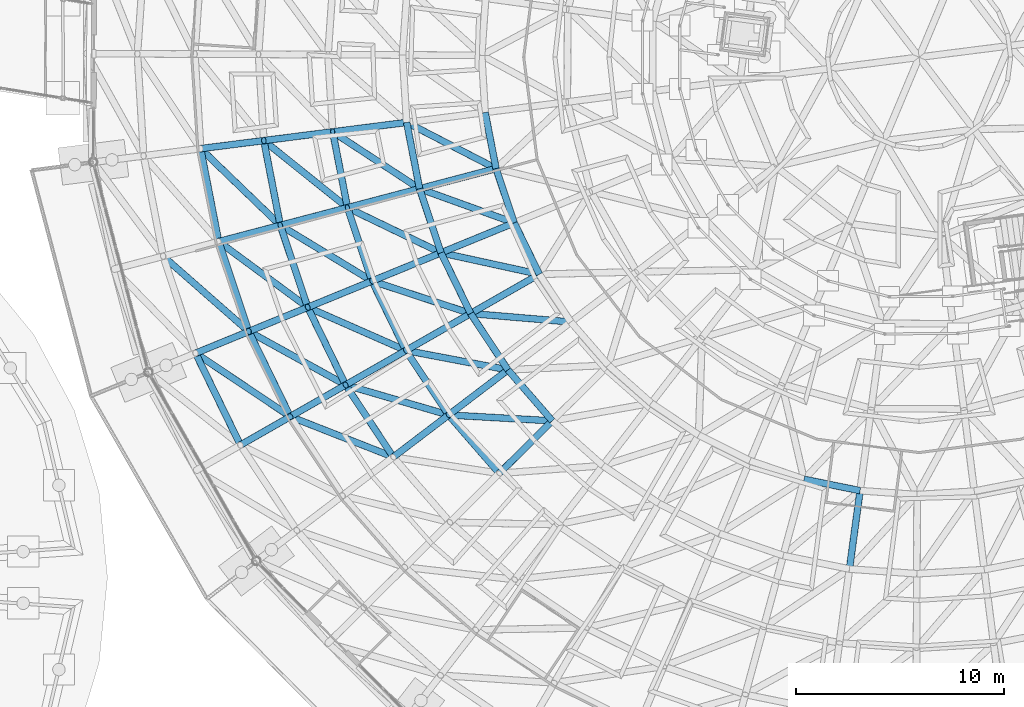
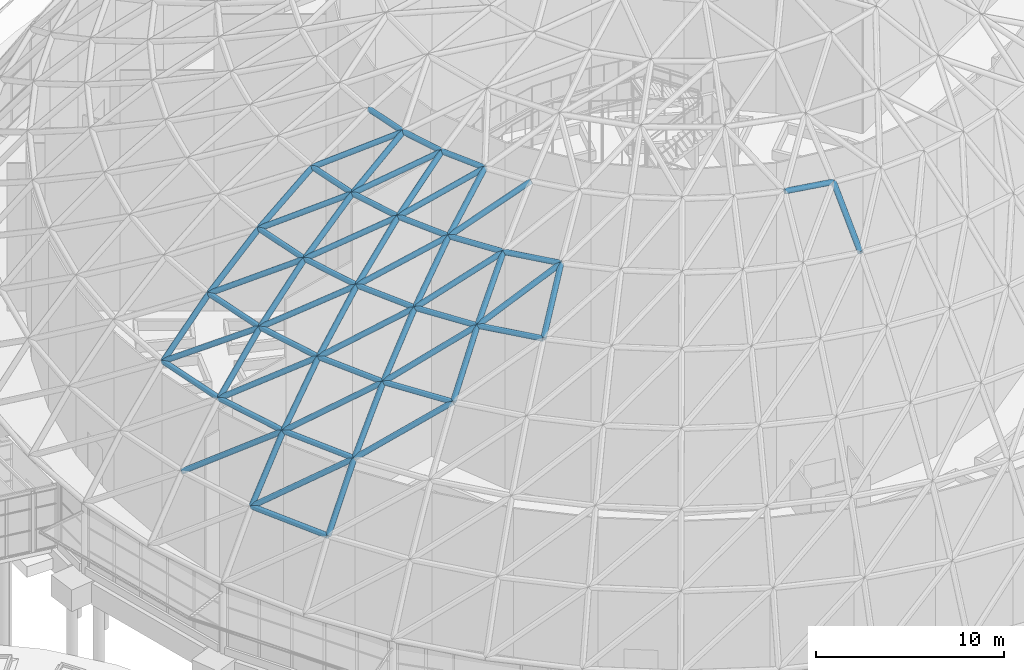
# One storey, part 76 of 226: 62 members.
"""IFC4 building model written with IfcOpenShell, lengths in metres."""

from ifc_helpers import new_model, si_unit, direction, frame, origin, origin_2d, place, context, subcontext, project, spatial, hollow_circle, extrude, material, material_profile, profile_set, type_object, element, save


model = new_model("IFC4")

# Units and contexts
model_context = context("Model", 3, precision=1e-05, world=origin(), true_north=direction((0.0, 1.0)))
body_context = subcontext(model_context, "Body", "Model", "MODEL_VIEW")
ifc_project = project(units=[si_unit("LENGTHUNIT", "METRE"), si_unit("AREAUNIT", "SQUARE_METRE"), si_unit("VOLUMEUNIT", "CUBIC_METRE"), si_unit("PLANEANGLEUNIT", "RADIAN"), si_unit("MASSUNIT", "GRAM", prefix="KILO")], contexts=[model_context])

# Site, building, storey
site_placement = place(None, origin())
site = spatial("IfcSite", under=ifc_project, at=site_placement, CompositionType="ELEMENT")
building_placement = place(site_placement, origin())
building = spatial("IfcBuilding", under=site, at=building_placement, Name="Ceibo Conservatory and Research Tower", CompositionType="ELEMENT")
storey_placement = place(building_placement, origin())
storey = spatial("IfcBuildingStorey", under=building, at=storey_placement, Name="L00", CompositionType="ELEMENT", Elevation=0.0)

# Members
ifc_material = material(Name="Steel ASTM A500 Gr C", Category="steel")
ifc_material_profile_1 = material_profile(ifc_material, hollow_circle(Radius=0.161865234375, WallThickness=0.01025390625, at=origin_2d()), Name="CHS 323.9x10.31")
ifc_profile_set_1 = profile_set([ifc_material_profile_1], Name="Steel ASTM A500 Gr C")
member_type_1 = type_object("IfcMemberType", Name="CHS 323.9x10.31", PredefinedType="NOTDEFINED", material=ifc_profile_set_1)
member_1_placement = place(storey_placement, frame((121.23193359375, 93.77587890625, 8.115966796875), z_axis=(0.438426569084, -0.898767012924, 0.0), x_axis=(0.898767012924, 0.438426569084, 0.0)))
element("IfcMember", 1, at=member_1_placement, inside=storey, type_object=member_type_1, Name="Gridshell member A-C02-27", PredefinedType="CHORD", context=body_context, shape_type="SweptSolid", body=[
    extrude(hollow_circle(Radius=0.161865234375, WallThickness=0.01025390625, at=origin_2d()), origin(), (0.0, 0.0, 1.0), 4.9130859375),
])
member_2_placement = place(storey_placement, frame((121.472900390625, 103.60791015625, 11.489013671875), z_axis=(0.190905541976, -0.981608411762, 0.0), x_axis=(0.981608411762, 0.190905541976, 0.0)))
element("IfcMember", 2, at=member_2_placement, inside=storey, type_object=member_type_1, Name="Gridshell member A-C03-25", PredefinedType="CHORD", context=body_context, shape_type="SweptSolid", body=[
    extrude(hollow_circle(Radius=0.161865234375, WallThickness=0.01025390625, at=origin_2d()), origin(), (0.0, 0.0, 1.0), 4.552734375),
])
member_3_placement = place(storey_placement, frame((122.342041015625, 99.138916015625, 11.489013671875), z_axis=(0.31736961709, -0.948301917191, 0.0), x_axis=(0.948301917191, 0.31736961709, 0.0)))
element("IfcMember", 3, at=member_3_placement, inside=storey, type_object=member_type_1, Name="Gridshell member A-C03-26", PredefinedType="CHORD", context=body_context, shape_type="SweptSolid", body=[
    extrude(hollow_circle(Radius=0.161865234375, WallThickness=0.01025390625, at=origin_2d()), origin(), (0.0, 0.0, 1.0), 4.55322265625),
])
member_4_placement = place(storey_placement, frame((123.787109375, 94.821044921875, 11.489013671875), z_axis=(0.43820278883, -0.898876140445, 0.0), x_axis=(0.898876140445, 0.43820278883, 0.0)))
element("IfcMember", 4, at=member_4_placement, inside=storey, type_object=member_type_1, Name="Gridshell member A-C03-27", PredefinedType="CHORD", context=body_context, shape_type="SweptSolid", body=[
    extrude(hollow_circle(Radius=0.161865234375, WallThickness=0.01025390625, at=origin_2d()), origin(), (0.0, 0.0, 1.0), 4.552490234375),
])
member_5_placement = place(storey_placement, frame((124.510986328125, 103.993896484375, 14.591064453125), z_axis=(0.190742180699, -0.981640168546, 0.0), x_axis=(0.981640168546, 0.190742180699, 0.0)))
element("IfcMember", 5, at=member_5_placement, inside=storey, type_object=member_type_1, Name="Gridshell member A-C04-25", PredefinedType="CHORD", context=body_context, shape_type="SweptSolid", body=[
    extrude(hollow_circle(Radius=0.161865234375, WallThickness=0.01025390625, at=origin_2d()), origin(), (0.0, 0.0, 1.0), 4.152099609375),
])
member_6_placement = place(storey_placement, frame((125.302978515625, 99.91796875, 14.591064453125), z_axis=(0.317480004596, -0.948264966495, 0.0), x_axis=(0.948264966495, 0.317480004596, 0.0)))
element("IfcMember", 6, at=member_6_placement, inside=storey, type_object=member_type_1, Name="Gridshell member A-C04-26", PredefinedType="CHORD", context=body_context, shape_type="SweptSolid", body=[
    extrude(hollow_circle(Radius=0.161865234375, WallThickness=0.01025390625, at=origin_2d()), origin(), (0.0, 0.0, 1.0), 4.15185546875),
])
member_7_placement = place(storey_placement, frame((126.62109375, 95.98095703125, 14.591064453125), z_axis=(0.438300827314, -0.898828339994, 0.0), x_axis=(0.898828339994, 0.438300827314, 0.0)))
element("IfcMember", 7, at=member_7_placement, inside=storey, type_object=member_type_1, Name="Gridshell member A-C04-27", PredefinedType="CHORD", context=body_context, shape_type="SweptSolid", body=[
    extrude(hollow_circle(Radius=0.161865234375, WallThickness=0.01025390625, at=origin_2d()), origin(), (0.0, 0.0, 1.0), 4.152099609375),
])
member_8_placement = place(storey_placement, frame((128.44091796875, 92.2490234375, 14.591064453125), z_axis=(0.55190237301, -0.833908730417, 0.0), x_axis=(0.833908730417, 0.55190237301, 0.0)))
element("IfcMember", 8, at=member_8_placement, inside=storey, type_object=member_type_1, Name="Gridshell member A-C04-28", PredefinedType="CHORD", context=body_context, shape_type="SweptSolid", body=[
    extrude(hollow_circle(Radius=0.161865234375, WallThickness=0.01025390625, at=origin_2d()), origin(), (0.0, 0.0, 1.0), 4.15283203125),
])
member_9_placement = place(storey_placement, frame((127.822021484375, 104.4150390625, 17.39501953125), z_axis=(0.815548674865, 0.103701353107, 0.569320988801), x_axis=(-0.126139666344, 0.992012492147, 0.0)))
element("IfcMember", 9, at=member_9_placement, inside=storey, type_object=member_type_1, Name="Gridshell member A-M25-05", PredefinedType="RAFTER", context=body_context, shape_type="SweptSolid", body=[
    extrude(hollow_circle(Radius=0.161865234375, WallThickness=0.01025390625, at=origin_2d()), origin(), (0.0, 0.0, 1.0), 4.357666015625),
])
member_10_placement = place(storey_placement, frame((128.531005859375, 100.76806640625, 17.39501953125), z_axis=(0.795082110604, 0.20923213437, 0.569268259562), x_axis=(-0.25449329928, 0.967074537263, 0.0)))
element("IfcMember", 10, at=member_10_placement, inside=storey, type_object=member_type_1, Name="Gridshell member A-M26-05", PredefinedType="RAFTER", context=body_context, shape_type="SweptSolid", body=[
    extrude(hollow_circle(Radius=0.161865234375, WallThickness=0.01025390625, at=origin_2d()), origin(), (0.0, 0.0, 1.0), 4.358154296875),
])
member_11_placement = place(storey_placement, frame((129.7099609375, 97.243896484375, 17.39501953125), z_axis=(0.760876121558, 0.311420288598, 0.569284578653), x_axis=(-0.378792035202, 0.925481817254, 0.0)))
element("IfcMember", 11, at=member_11_placement, inside=storey, type_object=member_type_1, Name="Gridshell member A-M27-05", PredefinedType="RAFTER", context=body_context, shape_type="SweptSolid", body=[
    extrude(hollow_circle(Radius=0.161865234375, WallThickness=0.01025390625, at=origin_2d()), origin(), (0.0, 0.0, 1.0), 4.35791015625),
])
member_12_placement = place(storey_placement, frame((131.339111328125, 93.905029296875, 17.39501953125), z_axis=(0.713787806992, 0.407982781221, 0.569260060795), x_axis=(-0.496234325731, 0.868188628102, 0.0)))
element("IfcMember", 12, at=member_12_placement, inside=storey, type_object=member_type_1, Name="Gridshell member A-M28-05", PredefinedType="RAFTER", context=body_context, shape_type="SweptSolid", body=[
    extrude(hollow_circle(Radius=0.161865234375, WallThickness=0.01025390625, at=origin_2d()), origin(), (0.0, 0.0, 1.0), 4.358154296875),
])
member_13_placement = place(storey_placement, frame((133.389892578125, 90.806884765625, 17.39501953125), z_axis=(0.654469157346, 0.497546703166, 0.569313095099), x_axis=(-0.60519902533, 0.796074204921, 0.0)))
element("IfcMember", 13, at=member_13_placement, inside=storey, type_object=member_type_1, Name="Gridshell member A-M29-05", PredefinedType="RAFTER", context=body_context, shape_type="SweptSolid", body=[
    extrude(hollow_circle(Radius=0.161865234375, WallThickness=0.01025390625, at=origin_2d()), origin(), (0.0, 0.0, 1.0), 4.35791015625),
])
member_14_placement = place(storey_placement, frame((135.826904296875, 88.001953125, 17.39501953125), z_axis=(0.583927397426, 0.578830285371, 0.569196183467), x_axis=(-0.704000314918, 0.71019965967, 0.0)))
element("IfcMember", 14, at=member_14_placement, inside=storey, type_object=member_type_1, Name="Gridshell member A-M30-05", PredefinedType="RAFTER", context=body_context, shape_type="SweptSolid", body=[
    extrude(hollow_circle(Radius=0.161865234375, WallThickness=0.01025390625, at=origin_2d()), origin(), (0.0, 0.0, 1.0), 4.358642578125),
])
member_15_placement = place(storey_placement, frame((131.99609375, 101.679931640625, 19.8759765625), z_axis=(0.84288373455, 0.222032554311, 0.490151563149), x_axis=(-0.254730464631, 0.967012094231, 0.0)))
element("IfcMember", 15, at=member_15_placement, inside=storey, type_object=member_type_1, Name="Gridshell member A-M26-06", PredefinedType="RAFTER", context=body_context, shape_type="SweptSolid", body=[
    extrude(hollow_circle(Radius=0.161865234375, WallThickness=0.01025390625, at=origin_2d()), origin(), (0.0, 0.0, 1.0), 4.35986328125),
])
member_16_placement = place(storey_placement, frame((133.02587890625, 98.60107421875, 19.8759765625), z_axis=(0.806723945208, 0.330059067962, 0.49016067558), x_axis=(-0.378667868227, 0.925532628043, 0.0)))
element("IfcMember", 16, at=member_16_placement, inside=storey, type_object=member_type_1, Name="Gridshell member A-M27-06", PredefinedType="RAFTER", context=body_context, shape_type="SweptSolid", body=[
    extrude(hollow_circle(Radius=0.161865234375, WallThickness=0.01025390625, at=origin_2d()), origin(), (0.0, 0.0, 1.0), 4.359619140625),
])
member_17_placement = place(storey_placement, frame((134.449951171875, 95.68310546875, 19.8759765625), z_axis=(0.756711089888, 0.432590332967, 0.490157046532), x_axis=(-0.49629806169, 0.868152195161, 0.0)))
element("IfcMember", 17, at=member_17_placement, inside=storey, type_object=member_type_1, Name="Gridshell member A-M28-06", PredefinedType="RAFTER", context=body_context, shape_type="SweptSolid", body=[
    extrude(hollow_circle(Radius=0.161865234375, WallThickness=0.01025390625, at=origin_2d()), origin(), (0.0, 0.0, 1.0), 4.35986328125),
])
member_18_placement = place(storey_placement, frame((152.653076171875, 83.405029296875, 19.8759765625), z_axis=(0.117442661305, 0.863654401517, 0.490212500907), x_axis=(-0.990880538738, 0.134743303919, 0.0)))
element("IfcMember", 18, at=member_18_placement, inside=storey, type_object=member_type_1, Name="Gridshell member A-M35-06", PredefinedType="RAFTER", context=body_context, shape_type="SweptSolid", body=[
    extrude(hollow_circle(Radius=0.161865234375, WallThickness=0.01025390625, at=origin_2d()), origin(), (0.0, 0.0, 1.0), 4.359375),
])
ifc_material_profile_2 = material_profile(ifc_material, hollow_circle(Radius=0.161865234375, WallThickness=0.01416015625, at=origin_2d()), Name="CHS 323.9x14.27")
ifc_profile_set_2 = profile_set([ifc_material_profile_2], Name="Steel ASTM A500 Gr C")
member_type_2 = type_object("IfcMemberType", Name="CHS 323.9x14.27", PredefinedType="NOTDEFINED", material=ifc_profile_set_2)
member_19_placement = place(storey_placement, frame((121.23193359375, 93.77587890625, 8.115966796875), z_axis=(0.586216957441, 0.239785476286, 0.773855673993), x_axis=(-0.378591523362, 0.92556385973, 0.0)))
element("IfcMember", 19, at=member_19_placement, inside=storey, type_object=member_type_2, Name="Gridshell member A-M27-02", PredefinedType="RAFTER", context=body_context, shape_type="SweptSolid", body=[
    extrude(hollow_circle(Radius=0.161865234375, WallThickness=0.01416015625, at=origin_2d()), origin(), (0.0, 0.0, 1.0), 4.358642578125),
])
member_20_placement = place(storey_placement, frame((123.385986328125, 89.360107421875, 8.115966796875), z_axis=(0.549793222513, 0.314111534403, 0.773990540274), x_axis=(-0.496072241307, 0.868281251326, 0.0)))
element("IfcMember", 20, at=member_20_placement, inside=storey, type_object=member_type_2, Name="Gridshell member A-M28-02", PredefinedType="RAFTER", context=body_context, shape_type="SweptSolid", body=[
    extrude(hollow_circle(Radius=0.161865234375, WallThickness=0.01416015625, at=origin_2d()), origin(), (0.0, 0.0, 1.0), 4.35791015625),
])
member_21_placement = place(storey_placement, frame((121.472900390625, 103.60791015625, 11.489013671875), z_axis=(0.69695407421, 0.088547443855, 0.711627970662), x_axis=(-0.126036047268, 0.992025662364, 0.0)))
element("IfcMember", 21, at=member_21_placement, inside=storey, type_object=member_type_2, Name="Gridshell member A-M25-03", PredefinedType="RAFTER", context=body_context, shape_type="SweptSolid", body=[
    extrude(hollow_circle(Radius=0.161865234375, WallThickness=0.01416015625, at=origin_2d()), origin(), (0.0, 0.0, 1.0), 4.359130859375),
])
member_22_placement = place(storey_placement, frame((122.342041015625, 99.138916015625, 11.489013671875), z_axis=(0.679342983267, 0.178742039875, 0.711719322674), x_axis=(-0.254450123778, 0.967085898206, 0.0)))
element("IfcMember", 22, at=member_22_placement, inside=storey, type_object=member_type_2, Name="Gridshell member A-M26-03", PredefinedType="RAFTER", context=body_context, shape_type="SweptSolid", body=[
    extrude(hollow_circle(Radius=0.161865234375, WallThickness=0.01416015625, at=origin_2d()), origin(), (0.0, 0.0, 1.0), 4.358642578125),
])
member_23_placement = place(storey_placement, frame((123.787109375, 94.821044921875, 11.489013671875), z_axis=(0.650167746981, 0.266105010846, 0.71166707384), x_axis=(-0.378788063188, 0.925483442956, 0.0)))
element("IfcMember", 23, at=member_23_placement, inside=storey, type_object=member_type_2, Name="Gridshell member A-M27-03", PredefinedType="RAFTER", context=body_context, shape_type="SweptSolid", body=[
    extrude(hollow_circle(Radius=0.161865234375, WallThickness=0.01416015625, at=origin_2d()), origin(), (0.0, 0.0, 1.0), 4.35888671875),
])
member_24_placement = place(storey_placement, frame((125.781982421875, 90.72900390625, 11.489013671875), z_axis=(0.609951625108, 0.34868779891, 0.711600895109), x_axis=(-0.496293451182, 0.868154830842, 0.0)))
element("IfcMember", 24, at=member_24_placement, inside=storey, type_object=member_type_2, Name="Gridshell member A-M28-03", PredefinedType="RAFTER", context=body_context, shape_type="SweptSolid", body=[
    extrude(hollow_circle(Radius=0.161865234375, WallThickness=0.01416015625, at=origin_2d()), origin(), (0.0, 0.0, 1.0), 4.359375),
])
member_25_placement = place(storey_placement, frame((124.510986328125, 103.993896484375, 14.591064453125), z_axis=(0.759554011809, 0.09661043138, 0.643229451823), x_axis=(-0.126177064206, 0.992007736093, 0.0)))
element("IfcMember", 25, at=member_25_placement, inside=storey, type_object=member_type_2, Name="Gridshell member A-M25-04", PredefinedType="RAFTER", context=body_context, shape_type="SweptSolid", body=[
    extrude(hollow_circle(Radius=0.161865234375, WallThickness=0.01416015625, at=origin_2d()), origin(), (0.0, 0.0, 1.0), 4.359130859375),
])
member_26_placement = place(storey_placement, frame((125.302978515625, 99.91796875, 14.591064453125), z_axis=(0.740463021501, 0.19500016948, 0.643186946146), x_axis=(-0.254666097669, 0.967029047495, 0.0)))
element("IfcMember", 26, at=member_26_placement, inside=storey, type_object=member_type_2, Name="Gridshell member A-M26-04", PredefinedType="RAFTER", context=body_context, shape_type="SweptSolid", body=[
    extrude(hollow_circle(Radius=0.161865234375, WallThickness=0.01416015625, at=origin_2d()), origin(), (0.0, 0.0, 1.0), 4.359375),
])
member_27_placement = place(storey_placement, frame((126.62109375, 95.98095703125, 14.591064453125), z_axis=(0.708666797854, 0.289751291914, 0.64330051955), x_axis=(-0.378456219148, 0.925619192859, 0.0)))
element("IfcMember", 27, at=member_27_placement, inside=storey, type_object=member_type_2, Name="Gridshell member A-M27-04", PredefinedType="RAFTER", context=body_context, shape_type="SweptSolid", body=[
    extrude(hollow_circle(Radius=0.161865234375, WallThickness=0.01416015625, at=origin_2d()), origin(), (0.0, 0.0, 1.0), 4.358642578125),
])
member_28_placement = place(storey_placement, frame((128.44091796875, 92.2490234375, 14.591064453125), z_axis=(0.66482040521, 0.379873372803, 0.643202961321), x_axis=(-0.496115308008, 0.868256644754, 0.0)))
element("IfcMember", 28, at=member_28_placement, inside=storey, type_object=member_type_2, Name="Gridshell member A-M28-04", PredefinedType="RAFTER", context=body_context, shape_type="SweptSolid", body=[
    extrude(hollow_circle(Radius=0.161865234375, WallThickness=0.01416015625, at=origin_2d()), origin(), (0.0, 0.0, 1.0), 4.359375),
])
member_29_placement = place(storey_placement, frame((130.73291015625, 88.785888671875, 14.591064453125), z_axis=(0.609455026774, 0.463573344816, 0.643167415465), x_axis=(-0.605404014509, 0.795918324463, 0.0)))
element("IfcMember", 29, at=member_29_placement, inside=storey, type_object=member_type_2, Name="Gridshell member A-M29-04", PredefinedType="RAFTER", context=body_context, shape_type="SweptSolid", body=[
    extrude(hollow_circle(Radius=0.161865234375, WallThickness=0.01416015625, at=origin_2d()), origin(), (0.0, 0.0, 1.0), 4.359619140625),
])
ifc_material_profile_3 = material_profile(ifc_material, hollow_circle(Radius=0.161865234375, WallThickness=0.00634765625, at=origin_2d()), Name="CHS 323.9x6.35")
ifc_profile_set_3 = profile_set([ifc_material_profile_3], Name="Steel ASTM A500 Gr C")
member_type_3 = type_object("IfcMemberType", Name="CHS 323.9x6.35", PredefinedType="NOTDEFINED", material=ifc_profile_set_3)
member_30_placement = place(storey_placement, frame((127.822021484375, 104.4150390625, 17.39501953125), z_axis=(0.748975049311, -0.490774257322, 0.445170758092), x_axis=(0.548078190568, 0.836427102038, 0.0)))
element("IfcMember", 30, at=member_30_placement, inside=storey, type_object=member_type_3, Name="Gridshell diagonal member A-D05-25", PredefinedType="BRACE", context=body_context, shape_type="SweptSolid", body=[
    extrude(hollow_circle(Radius=0.161865234375, WallThickness=0.00634765625, at=origin_2d()), origin(), (0.0, 0.0, 1.0), 5.572998046875),
])
member_31_placement = place(storey_placement, frame((128.531005859375, 100.76806640625, 17.39501953125), z_axis=(0.806589298942, -0.38885919382, 0.445199090536), x_axis=(0.434270120788, 0.900782694212, 0.0)))
element("IfcMember", 31, at=member_31_placement, inside=storey, type_object=member_type_3, Name="Gridshell diagonal member A-D05-26", PredefinedType="BRACE", context=body_context, shape_type="SweptSolid", body=[
    extrude(hollow_circle(Radius=0.161865234375, WallThickness=0.00634765625, at=origin_2d()), origin(), (0.0, 0.0, 1.0), 5.57275390625),
])
for number, where, z_axis, x_axis, name in (
    (32, (129.7099609375, 97.243896484375, 17.39501953125), (0.850522179751, -0.280061205004, 0.445171588495), (0.31276194088, 0.949831547348, 0.0), "Gridshell diagonal member A-D05-27"),
    (33, (131.339111328125, 93.905029296875, 17.39501953125), (0.879756514282, -0.166865479678, 0.445179050798), (0.186349935601, 0.982483435739, 0.0), "Gridshell diagonal member A-D05-28"),
):
    element("IfcMember", number, at=place(storey_placement, frame(where, z_axis=z_axis, x_axis=x_axis)), inside=storey, type_object=member_type_3, Name=name, PredefinedType="BRACE", context=body_context, shape_type="SweptSolid", body=[
        extrude(hollow_circle(Radius=0.161865234375, WallThickness=0.00634765625, at=origin_2d()), origin(), (0.0, 0.0, 1.0), 5.572998046875),
    ])
member_32_placement = place(storey_placement, frame((133.389892578125, 90.806884765625, 17.39501953125), z_axis=(0.894007506898, -0.05059923901, 0.445185685554), x_axis=(0.056507791089, 0.998402158224, 0.0)))
element("IfcMember", 34, at=member_32_placement, inside=storey, type_object=member_type_3, Name="Gridshell diagonal member A-D05-29", PredefinedType="BRACE", context=body_context, shape_type="SweptSolid", body=[
    extrude(hollow_circle(Radius=0.161865234375, WallThickness=0.00634765625, at=origin_2d()), origin(), (0.0, 0.0, 1.0), 5.57275390625),
])
member_33_placement = place(storey_placement, frame((131.3759765625, 104.866943359375, 19.8759765625), z_axis=(0.812580071698, -0.41982379898, 0.404303852181), x_axis=(0.459012079617, 0.888430025813, 0.0)))
element("IfcMember", 35, at=member_33_placement, inside=storey, type_object=member_type_3, Name="Gridshell diagonal member A-D06-25", PredefinedType="BRACE", context=body_context, shape_type="SweptSolid", body=[
    extrude(hollow_circle(Radius=0.161865234375, WallThickness=0.00634765625, at=origin_2d()), origin(), (0.0, 0.0, 1.0), 5.28564453125),
])
member_34_placement = place(storey_placement, frame((131.99609375, 101.679931640625, 19.8759765625), z_axis=(0.860355796073, -0.310299070136, 0.404354289252), x_axis=(0.339272080691, 0.940688288044, 0.0)))
element("IfcMember", 36, at=member_34_placement, inside=storey, type_object=member_type_3, Name="Gridshell diagonal member A-D06-26", PredefinedType="BRACE", context=body_context, shape_type="SweptSolid", body=[
    extrude(hollow_circle(Radius=0.161865234375, WallThickness=0.00634765625, at=origin_2d()), origin(), (0.0, 0.0, 1.0), 5.284912109375),
])
member_35_placement = place(storey_placement, frame((133.02587890625, 98.60107421875, 19.8759765625), z_axis=(0.893553222526, -0.195236714133, 0.404283642963), x_axis=(0.213458920442, 0.976952040422, 0.0)))
element("IfcMember", 37, at=member_35_placement, inside=storey, type_object=member_type_3, Name="Gridshell diagonal member A-D06-27", PredefinedType="BRACE", context=body_context, shape_type="SweptSolid", body=[
    extrude(hollow_circle(Radius=0.161865234375, WallThickness=0.00634765625, at=origin_2d()), origin(), (0.0, 0.0, 1.0), 5.285888671875),
])
member_36_placement = place(storey_placement, frame((134.449951171875, 95.68310546875, 19.8759765625), z_axis=(0.911343828379, -0.077057915838, 0.404369266985), x_axis=(0.084253519406, 0.996444350914, 0.0)))
element("IfcMember", 38, at=member_36_placement, inside=storey, type_object=member_type_3, Name="Gridshell diagonal member A-D06-28", PredefinedType="BRACE", context=body_context, shape_type="SweptSolid", body=[
    extrude(hollow_circle(Radius=0.161865234375, WallThickness=0.00634765625, at=origin_2d()), origin(), (0.0, 0.0, 1.0), 5.28466796875),
])
ifc_material_profile_4 = material_profile(ifc_material, hollow_circle(Radius=0.161865234375, WallThickness=0.00830078125, at=origin_2d()), Name="CHS 323.9x8.38")
ifc_profile_set_4 = profile_set([ifc_material_profile_4], Name="Steel ASTM A500 Gr C")
member_type_4 = type_object("IfcMemberType", Name="CHS 323.9x8.38", PredefinedType="NOTDEFINED", material=ifc_profile_set_4)
member_37_placement = place(storey_placement, frame((127.822021484375, 104.4150390625, 17.39501953125), z_axis=(0.190830963929, -0.981622912939, 0.0), x_axis=(0.981622912939, 0.190830963929, 0.0)))
element("IfcMember", 39, at=member_37_placement, inside=storey, type_object=member_type_4, Name="Gridshell member A-C05-25", PredefinedType="CHORD", context=body_context, shape_type="SweptSolid", body=[
    extrude(hollow_circle(Radius=0.161865234375, WallThickness=0.00830078125, at=origin_2d()), origin(), (0.0, 0.0, 1.0), 3.71533203125),
])
member_38_placement = place(storey_placement, frame((128.531005859375, 100.76806640625, 17.39501953125), z_axis=(0.317252460005, -0.94834111828, 0.0), x_axis=(0.94834111828, 0.317252460005, 0.0)))
element("IfcMember", 40, at=member_38_placement, inside=storey, type_object=member_type_4, Name="Gridshell member A-C05-26", PredefinedType="CHORD", context=body_context, shape_type="SweptSolid", body=[
    extrude(hollow_circle(Radius=0.161865234375, WallThickness=0.00830078125, at=origin_2d()), origin(), (0.0, 0.0, 1.0), 3.716064453125),
])
member_39_placement = place(storey_placement, frame((129.7099609375, 97.243896484375, 17.39501953125), z_axis=(0.438518144671, -0.89872233576, 0.0), x_axis=(0.89872233576, 0.438518144671, 0.0)))
element("IfcMember", 41, at=member_39_placement, inside=storey, type_object=member_type_4, Name="Gridshell member A-C05-27", PredefinedType="CHORD", context=body_context, shape_type="SweptSolid", body=[
    extrude(hollow_circle(Radius=0.161865234375, WallThickness=0.00830078125, at=origin_2d()), origin(), (0.0, 0.0, 1.0), 3.715087890625),
])
member_40_placement = place(storey_placement, frame((131.339111328125, 93.905029296875, 17.39501953125), z_axis=(0.551967700922, -0.833865491035, 0.0), x_axis=(0.833865491035, 0.551967700922, 0.0)))
element("IfcMember", 42, at=member_40_placement, inside=storey, type_object=member_type_4, Name="Gridshell member A-C05-28", PredefinedType="CHORD", context=body_context, shape_type="SweptSolid", body=[
    extrude(hollow_circle(Radius=0.161865234375, WallThickness=0.00830078125, at=origin_2d()), origin(), (0.0, 0.0, 1.0), 3.71533203125),
])
member_41_placement = place(storey_placement, frame((133.389892578125, 90.806884765625, 17.39501953125), z_axis=(0.655863077545, -0.754879873564, 0.0), x_axis=(0.754879873564, 0.655863077545, 0.0)))
element("IfcMember", 43, at=member_41_placement, inside=storey, type_object=member_type_4, Name="Gridshell member A-C05-29", PredefinedType="CHORD", context=body_context, shape_type="SweptSolid", body=[
    extrude(hollow_circle(Radius=0.161865234375, WallThickness=0.00830078125, at=origin_2d()), origin(), (0.0, 0.0, 1.0), 3.7158203125),
])
member_42_placement = place(storey_placement, frame((131.3759765625, 104.866943359375, 19.8759765625), z_axis=(0.190994441564, -0.981591118181, 0.0), x_axis=(0.981591118181, 0.190994441564, 0.0)))
element("IfcMember", 44, at=member_42_placement, inside=storey, type_object=member_type_4, Name="Gridshell member A-C06-25", PredefinedType="CHORD", context=body_context, shape_type="SweptSolid", body=[
    extrude(hollow_circle(Radius=0.161865234375, WallThickness=0.00830078125, at=origin_2d()), origin(), (0.0, 0.0, 1.0), 3.246826171875),
])
member_43_placement = place(storey_placement, frame((131.99609375, 101.679931640625, 19.8759765625), z_axis=(0.317197693204, -0.948359437885, 0.0), x_axis=(0.948359437885, 0.317197693204, 0.0)))
element("IfcMember", 45, at=member_43_placement, inside=storey, type_object=member_type_4, Name="Gridshell member A-C06-26", PredefinedType="CHORD", context=body_context, shape_type="SweptSolid", body=[
    extrude(hollow_circle(Radius=0.161865234375, WallThickness=0.00830078125, at=origin_2d()), origin(), (0.0, 0.0, 1.0), 3.24658203125),
])
member_44_placement = place(storey_placement, frame((133.02587890625, 98.60107421875, 19.8759765625), z_axis=(0.438591025392, -0.898686771042, 0.0), x_axis=(0.898686771042, 0.438591025392, 0.0)))
element("IfcMember", 46, at=member_44_placement, inside=storey, type_object=member_type_4, Name="Gridshell member A-C06-27", PredefinedType="CHORD", context=body_context, shape_type="SweptSolid", body=[
    extrude(hollow_circle(Radius=0.161865234375, WallThickness=0.00830078125, at=origin_2d()), origin(), (0.0, 0.0, 1.0), 3.246826171875),
])
member_45_placement = place(storey_placement, frame((134.449951171875, 95.68310546875, 19.8759765625), z_axis=(0.551851522439, -0.833942382411, 0.0), x_axis=(0.833942382411, 0.551851522439, 0.0)))
element("IfcMember", 47, at=member_45_placement, inside=storey, type_object=member_type_4, Name="Gridshell member A-C06-28", PredefinedType="CHORD", context=body_context, shape_type="SweptSolid", body=[
    extrude(hollow_circle(Radius=0.161865234375, WallThickness=0.00830078125, at=origin_2d()), origin(), (0.0, 0.0, 1.0), 3.247314453125),
])
member_46_placement = place(storey_placement, frame((136.241943359375, 92.97509765625, 19.8759765625), z_axis=(0.656094933673, -0.754678367259, 0.0), x_axis=(0.754678367259, 0.656094933673, 0.0)))
element("IfcMember", 48, at=member_46_placement, inside=storey, type_object=member_type_4, Name="Gridshell member A-C06-29", PredefinedType="CHORD", context=body_context, shape_type="SweptSolid", body=[
    extrude(hollow_circle(Radius=0.161865234375, WallThickness=0.00830078125, at=origin_2d()), origin(), (0.0, 0.0, 1.0), 3.24658203125),
])
member_47_placement = place(storey_placement, frame((135.14599609375, 105.346923828125, 22.012939453125), z_axis=(0.190905308277, -0.981608457213, 0.0), x_axis=(0.981608457213, 0.190905308277, 0.0)))
element("IfcMember", 49, at=member_47_placement, inside=storey, type_object=member_type_4, Name="Gridshell member A-C07-25", PredefinedType="CHORD", context=body_context, shape_type="SweptSolid", body=[
    extrude(hollow_circle(Radius=0.161865234375, WallThickness=0.00830078125, at=origin_2d()), origin(), (0.0, 0.0, 1.0), 2.74951171875),
])
member_48_placement = place(storey_placement, frame((135.6708984375, 102.64794921875, 22.012939453125), z_axis=(0.317133209494, -0.948381003308, 0.0), x_axis=(0.948381003308, 0.317133209494, 0.0)))
element("IfcMember", 50, at=member_48_placement, inside=storey, type_object=member_type_4, Name="Gridshell member A-C07-26", PredefinedType="CHORD", context=body_context, shape_type="SweptSolid", body=[
    extrude(hollow_circle(Radius=0.161865234375, WallThickness=0.00830078125, at=origin_2d()), origin(), (0.0, 0.0, 1.0), 2.749755859375),
])
member_49_placement = place(storey_placement, frame((136.54296875, 100.0400390625, 22.012939453125), z_axis=(0.438633546877, -0.898666017803, 0.0), x_axis=(0.898666017803, 0.438633546877, 0.0)))
element("IfcMember", 51, at=member_49_placement, inside=storey, type_object=member_type_4, Name="Gridshell member A-C07-27", PredefinedType="CHORD", context=body_context, shape_type="SweptSolid", body=[
    extrude(hollow_circle(Radius=0.161865234375, WallThickness=0.00830078125, at=origin_2d()), origin(), (0.0, 0.0, 1.0), 2.74951171875),
])
member_50_placement = place(storey_placement, frame((150.470947265625, 87.718017578125, 22.012939453125), z_axis=(0.979926372224, -0.199359737711, 0.0), x_axis=(0.199359737711, 0.979926372224, 0.0)))
element("IfcMember", 52, at=member_50_placement, inside=storey, type_object=member_type_4, Name="Gridshell member A-C07-34", PredefinedType="CHORD", context=body_context, shape_type="SweptSolid", body=[
    extrude(hollow_circle(Radius=0.161865234375, WallThickness=0.00830078125, at=origin_2d()), origin(), (0.0, 0.0, 1.0), 2.749267578125),
])
member_51_placement = place(storey_placement, frame((119.673095703125, 98.43603515625, 8.115966796875), z_axis=(0.639615903283, -0.562031492487, 0.524415958682), x_axis=(0.660078020008, 0.751197049716, 0.0)))
element("IfcMember", 53, at=member_51_placement, inside=storey, type_object=member_type_4, Name="Gridshell diagonal member A-D02-26", PredefinedType="BRACE", context=body_context, shape_type="SweptSolid", body=[
    extrude(hollow_circle(Radius=0.161865234375, WallThickness=0.00830078125, at=origin_2d()), origin(), (0.0, 0.0, 1.0), 6.431884765625),
])
member_52_placement = place(storey_placement, frame((121.23193359375, 93.77587890625, 8.115966796875), z_axis=(0.707466124011, -0.473744552646, 0.524459514371), x_axis=(0.556406933546, 0.83090993754, 0.0)))
element("IfcMember", 54, at=member_52_placement, inside=storey, type_object=member_type_4, Name="Gridshell diagonal member A-D02-27", PredefinedType="BRACE", context=body_context, shape_type="SweptSolid", body=[
    extrude(hollow_circle(Radius=0.161865234375, WallThickness=0.00830078125, at=origin_2d()), origin(), (0.0, 0.0, 1.0), 6.431396484375),
])
member_53_placement = place(storey_placement, frame((121.472900390625, 103.60791015625, 11.489013671875), z_axis=(0.62207515299, -0.59931437164, 0.503830118173), x_axis=(0.693809278982, 0.720158791099, 0.0)))
element("IfcMember", 55, at=member_53_placement, inside=storey, type_object=member_type_4, Name="Gridshell diagonal member A-D03-25", PredefinedType="BRACE", context=body_context, shape_type="SweptSolid", body=[
    extrude(hollow_circle(Radius=0.161865234375, WallThickness=0.00830078125, at=origin_2d()), origin(), (0.0, 0.0, 1.0), 6.156982421875),
])
member_54_placement = place(storey_placement, frame((122.342041015625, 99.138916015625, 11.489013671875), z_axis=(0.695016771584, -0.51292531183, 0.50384453128), x_axis=(0.59380488963, 0.804609068462, 0.0)))
element("IfcMember", 56, at=member_54_placement, inside=storey, type_object=member_type_4, Name="Gridshell diagonal member A-D03-26", PredefinedType="BRACE", context=body_context, shape_type="SweptSolid", body=[
    extrude(hollow_circle(Radius=0.161865234375, WallThickness=0.00830078125, at=origin_2d()), origin(), (0.0, 0.0, 1.0), 6.15673828125),
])
member_55_placement = place(storey_placement, frame((123.787109375, 94.821044921875, 11.489013671875), z_axis=(0.75598317386, -0.417809397577, 0.503909464226), x_axis=(0.483712028352, 0.875227212572, 0.0)))
element("IfcMember", 57, at=member_55_placement, inside=storey, type_object=member_type_4, Name="Gridshell diagonal member A-D03-27", PredefinedType="BRACE", context=body_context, shape_type="SweptSolid", body=[
    extrude(hollow_circle(Radius=0.161865234375, WallThickness=0.00830078125, at=origin_2d()), origin(), (0.0, 0.0, 1.0), 6.156005859375),
])
member_56_placement = place(storey_placement, frame((125.781982421875, 90.72900390625, 11.489013671875), z_axis=(0.804098246086, -0.315588438316, 0.503815391034), x_axis=(0.365344166412, 0.930872515476, 0.0)))
element("IfcMember", 58, at=member_56_placement, inside=storey, type_object=member_type_4, Name="Gridshell diagonal member A-D03-28", PredefinedType="BRACE", context=body_context, shape_type="SweptSolid", body=[
    extrude(hollow_circle(Radius=0.161865234375, WallThickness=0.00830078125, at=origin_2d()), origin(), (0.0, 0.0, 1.0), 6.1572265625),
])
member_57_placement = place(storey_placement, frame((124.510986328125, 103.993896484375, 14.591064453125), z_axis=(0.6851218934, -0.549770167466, 0.477871064357), x_axis=(0.625855417337, 0.779939098, 0.0)))
element("IfcMember", 59, at=member_57_placement, inside=storey, type_object=member_type_4, Name="Gridshell diagonal member A-D04-25", PredefinedType="BRACE", context=body_context, shape_type="SweptSolid", body=[
    extrude(hollow_circle(Radius=0.161865234375, WallThickness=0.00830078125, at=origin_2d()), origin(), (0.0, 0.0, 1.0), 5.86767578125),
])
member_58_placement = place(storey_placement, frame((125.302978515625, 99.91796875, 14.591064453125), z_axis=(0.751009721407, -0.455698270377, 0.477832067496), x_axis=(0.518751945527, 0.854924803133, 0.0)))
element("IfcMember", 60, at=member_58_placement, inside=storey, type_object=member_type_4, Name="Gridshell diagonal member A-D04-26", PredefinedType="BRACE", context=body_context, shape_type="SweptSolid", body=[
    extrude(hollow_circle(Radius=0.161865234375, WallThickness=0.00830078125, at=origin_2d()), origin(), (0.0, 0.0, 1.0), 5.8681640625),
])
member_59_placement = place(storey_placement, frame((126.62109375, 95.98095703125, 14.591064453125), z_axis=(0.80404925861, -0.353781673788, 0.477852819412), x_axis=(0.402738614266, 0.915315032423, 0.0)))
element("IfcMember", 61, at=member_59_placement, inside=storey, type_object=member_type_4, Name="Gridshell diagonal member A-D04-27", PredefinedType="BRACE", context=body_context, shape_type="SweptSolid", body=[
    extrude(hollow_circle(Radius=0.161865234375, WallThickness=0.00830078125, at=origin_2d()), origin(), (0.0, 0.0, 1.0), 5.867919921875),
])
member_60_placement = place(storey_placement, frame((128.44091796875, 92.2490234375, 14.591064453125), z_axis=(0.843373084554, -0.245760189949, 0.477832365256), x_axis=(0.279765380873, 0.960068399472, 0.0)))
element("IfcMember", 62, at=member_60_placement, inside=storey, type_object=member_type_4, Name="Gridshell diagonal member A-D04-28", PredefinedType="BRACE", context=body_context, shape_type="SweptSolid", body=[
    extrude(hollow_circle(Radius=0.161865234375, WallThickness=0.00830078125, at=origin_2d()), origin(), (0.0, 0.0, 1.0), 5.8681640625),
])

save(model, "model.ifc")
